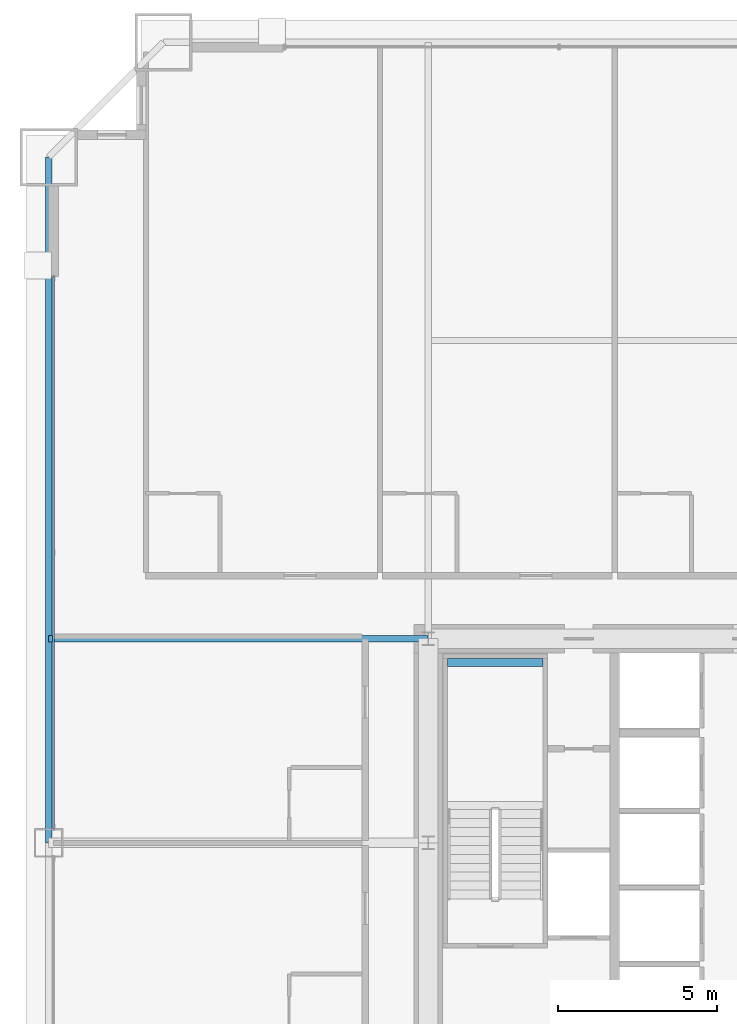
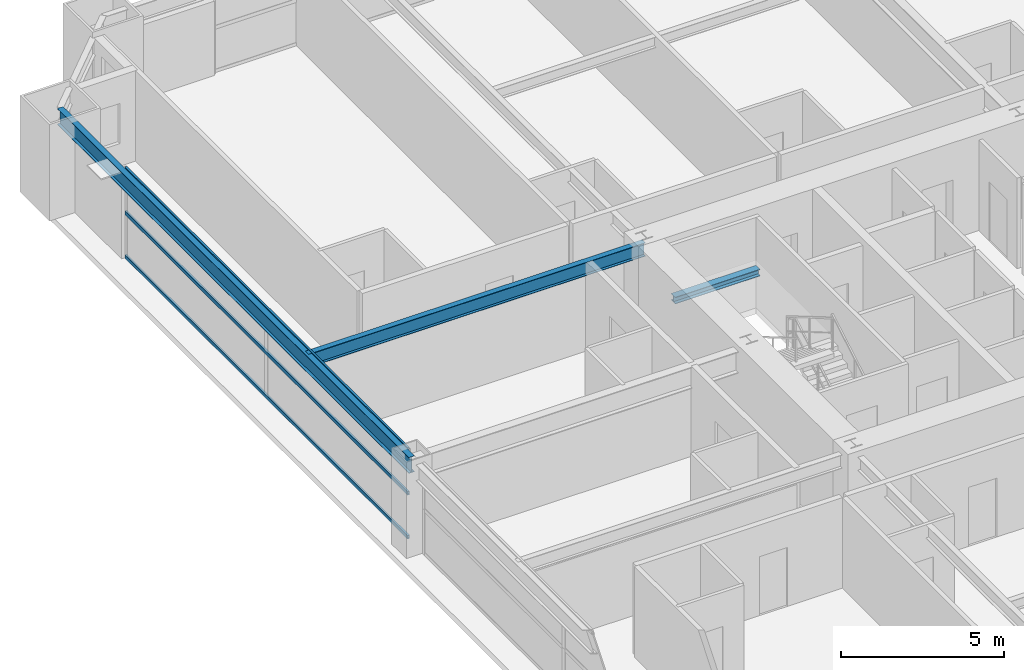
# One storey, part 24 of 45: 3 beams, 3 members, 1 element without a shape of its own.
"""IFC4 building model written with IfcOpenShell, lengths in metres."""

from ifc_helpers import new_model, si_unit, direction, frame, origin, origin_2d, place, context, subcontext, project, spatial, hollow_rectangle, i_section, extrude, source, transform, mapped, material, layer, layer_set, material_profile, profile_set, type_object, element, aggregate, save


model = new_model("IFC4")

# Units and contexts
model_context = context("Model", 3, precision=1e-05, world=origin(), true_north=direction((0.0, 1.0)))
body_context = subcontext(model_context, "Body", "Model", "MODEL_VIEW")
ifc_project = project(units=[si_unit("LENGTHUNIT", "METRE"), si_unit("AREAUNIT", "SQUARE_METRE"), si_unit("VOLUMEUNIT", "CUBIC_METRE"), si_unit("PLANEANGLEUNIT", "RADIAN"), si_unit("MASSUNIT", "GRAM", prefix="KILO"), si_unit("THERMODYNAMICTEMPERATUREUNIT", "KELVIN"), si_unit("POWERUNIT", "WATT")], contexts=[model_context])

# Site, building, storey
site_placement = place(None, origin())
site = spatial("IfcSite", under=ifc_project, at=site_placement, CompositionType="ELEMENT")
building_placement = place(site_placement, origin())
building = spatial("IfcBuilding", under=site, at=building_placement, Name="Yuzanri Waterfront Tower", CompositionType="ELEMENT")
storey_placement = place(building_placement, frame((0.0, 0.0, 34.199951171875)))
storey = spatial("IfcBuildingStorey", under=building, at=storey_placement, Name="L08", CompositionType="ELEMENT", Elevation=34.199951171875)

# Beams
ifc_material_1 = material(Name="Steel Q355B", Category="steel")
ifc_material_profile_1 = material_profile(ifc_material_1, i_section(OverallWidth=0.199951171875, OverallDepth=0.60009765625, WebThickness=0.010986328125, FlangeThickness=0.01708984375, at=origin_2d()), Name="HN 600x200x11x17")
ifc_profile_set_1 = profile_set([ifc_material_profile_1], Name="Steel Q355B")
beam_type_1 = type_object("IfcBeamType", Name="Perimeter Spandrel Q355B HN 600x200", PredefinedType="SPANDREL", material=ifc_profile_set_1)
shared_shape_1 = source(origin(), body_context, "Body", "SweptSolid", [
    extrude(i_section(OverallWidth=0.199951171875, OverallDepth=0.60009765625, WebThickness=0.010986328125, FlangeThickness=0.01708984375, at=origin_2d()), origin(), (0.0, 0.0, 1.0), 21.5),
])
beam_1_placement = place(storey_placement, frame((11.89990234375, 47.300048828125, 3.080078125), z_axis=(0.0, -1.0, 0.0), x_axis=(1.0, 0.0, 0.0)))
element("IfcBeam", 1, at=beam_1_placement, inside=storey, type_object=beam_type_1, Name="L08 Perimeter Spandrel W3-W2", PredefinedType="SPANDREL", context=body_context, shape_type="MappedRepresentation", body=[
    mapped(shared_shape_1, transform((0.0, 0.0, 0.0), scale=1.0)),
])
ifc_material_2 = material(Name="Steel Q355B", Category="steel")
ifc_material_profile_2 = material_profile(ifc_material_2, i_section(OverallWidth=0.199951171875, OverallDepth=0.5, WebThickness=0.010009765625, FlangeThickness=0.01611328125, at=origin_2d()), Name="HN 500x200x10x16")
ifc_profile_set_2 = profile_set([ifc_material_profile_2], Name="Steel Q355B")
beam_type_2 = type_object("IfcBeamType", Name="Secondary Floor Beam Q355B HN 500x200", PredefinedType="BEAM", material=ifc_profile_set_2)
shared_shape_2 = source(origin(), body_context, "Body", "SweptSolid", [
    extrude(i_section(OverallWidth=0.199951171875, OverallDepth=0.5, WebThickness=0.010009765625, FlangeThickness=0.01611328125, at=origin_2d()), origin(), (0.0, 0.0, 1.0), 11.900146484375),
])
beam_2_placement = place(storey_placement, frame((23.800048828125, 32.199951171875, 3.130126953125), z_axis=(-1.0, 0.0, 0.0), x_axis=(0.0, -1.0, 0.0)))
element("IfcBeam", 2, at=beam_2_placement, inside=storey, type_object=beam_type_2, Name="L08 West-North Core Line Beam", PredefinedType="BEAM", context=body_context, shape_type="MappedRepresentation", body=[
    mapped(shared_shape_2, transform((0.0, 0.0, 0.0), scale=1.0)),
])

# Curtain wall, members
ifc_material_3 = material(Name="Anodized Architectural Bronze", Category="metal")
ifc_layer = layer(ifc_material_3, 0.159912109375)
ifc_layer_set = layer_set([ifc_layer], Name="Anodized Architectural Bronze")
curtain_wall_type = type_object("IfcCurtainWallType", Name="Anodized Bronze Hotel Lower-Tier Recessed Unitized Curtain Wall 8100", PredefinedType="NOTDEFINED", material=ifc_layer_set)
curtain_wall_placement = place(storey_placement, origin())
curtain_wall = element("IfcCurtainWall", 3, at=curtain_wall_placement, inside=storey, type_object=curtain_wall_type, Name="L08 Curtain Wall CW-L08-WR", PredefinedType="NOTDEFINED")
ifc_material_4 = material(Name="Anodized Architectural Bronze", Category="metal")
ifc_material_profile_3 = material_profile(ifc_material_4, hollow_rectangle(XDim=0.070068359375, YDim=0.135009765625, WallThickness=0.00341796875, at=origin_2d()), Name="CWT 70x135")
ifc_profile_set_3 = profile_set([ifc_material_profile_3], Name="Anodized Architectural Bronze")
member_type = type_object("IfcMemberType", Name="Anodized Bronze Standard Curtain-Wall Transom 70x135", PredefinedType="USERDEFINED", material=ifc_profile_set_3)
shared_shape_3 = source(origin(), body_context, "Body", "SweptSolid", [
    extrude(hollow_rectangle(XDim=0.070068359375, YDim=0.135009765625, WallThickness=0.00341796875, at=origin_2d()), origin(), (0.0, 0.0, 1.0), 17.300048828125),
])
member_1_placement = place(storey_placement, frame((12.050048828125, 26.25, 0.050048828125), z_axis=(0.0, 1.0, 0.0), x_axis=(-1.0, 0.0, 0.0)))
member_1 = element("IfcMember", 4, at=member_1_placement, type_object=member_type, Name="CW-L08-WR Transom 1", ObjectType="TRANSOM", PredefinedType="USERDEFINED", context=body_context, shape_type="MappedRepresentation", body=[
    mapped(shared_shape_3, transform((0.0, 0.0, 0.0), scale=1.0)),
])
member_2_placement = place(storey_placement, frame((12.050048828125, 26.25, 1.68994140625), z_axis=(0.0, 1.0, 0.0), x_axis=(-1.0, 0.0, 0.0)))
member_2 = element("IfcMember", 5, at=member_2_placement, type_object=member_type, Name="CW-L08-WR Transom 2", ObjectType="TRANSOM", PredefinedType="USERDEFINED", context=body_context, shape_type="MappedRepresentation", body=[
    mapped(shared_shape_3, transform((0.0, 0.0, 0.0), scale=1.0)),
])
member_3_placement = place(storey_placement, frame((12.050048828125, 26.25, 3.330078125), z_axis=(0.0, 1.0, 0.0), x_axis=(-1.0, 0.0, 0.0)))
member_3 = element("IfcMember", 6, at=member_3_placement, type_object=member_type, Name="CW-L08-WR Transom 3", ObjectType="TRANSOM", PredefinedType="USERDEFINED", context=body_context, shape_type="MappedRepresentation", body=[
    mapped(shared_shape_3, transform((0.0, 0.0, 0.0), scale=1.0)),
])
aggregate(curtain_wall, [member_1, member_2, member_3])

# Beam
ifc_material_5 = material(Name="Steel Q355B", Category="steel")
ifc_material_profile_4 = material_profile(ifc_material_5, i_section(OverallWidth=0.25, OverallDepth=0.25, WebThickness=0.009033203125, FlangeThickness=0.013916015625, at=origin_2d()), Name="HW 250x250x9x14")
ifc_profile_set_4 = profile_set([ifc_material_profile_4], Name="Steel Q355B")
beam_type_3 = type_object("IfcBeamType", Name="Stair Landing Support Beam Q355B HW 250x250", PredefinedType="BEAM", material=ifc_profile_set_4)
shared_shape_4 = source(origin(), body_context, "Body", "SweptSolid", [
    extrude(i_section(OverallWidth=0.25, OverallDepth=0.25, WebThickness=0.009033203125, FlangeThickness=0.013916015625, at=origin_2d()), origin(), (0.0, 0.0, 1.0), 3.0),
])
beam_3_placement = place(storey_placement, frame((24.39990234375, 31.449951171875, 1.47509765625), z_axis=(1.0, 0.0, 0.0), x_axis=(0.0, 1.0, 0.0)))
element("IfcBeam", 7, at=beam_3_placement, inside=storey, type_object=beam_type_3, Name="L08 Stair Landing Support Beam ST-01-L08-L1-2", PredefinedType="BEAM", context=body_context, shape_type="MappedRepresentation", body=[
    mapped(shared_shape_4, transform((0.0, 0.0, 0.0), scale=1.0)),
])

save(model, "model.ifc")
